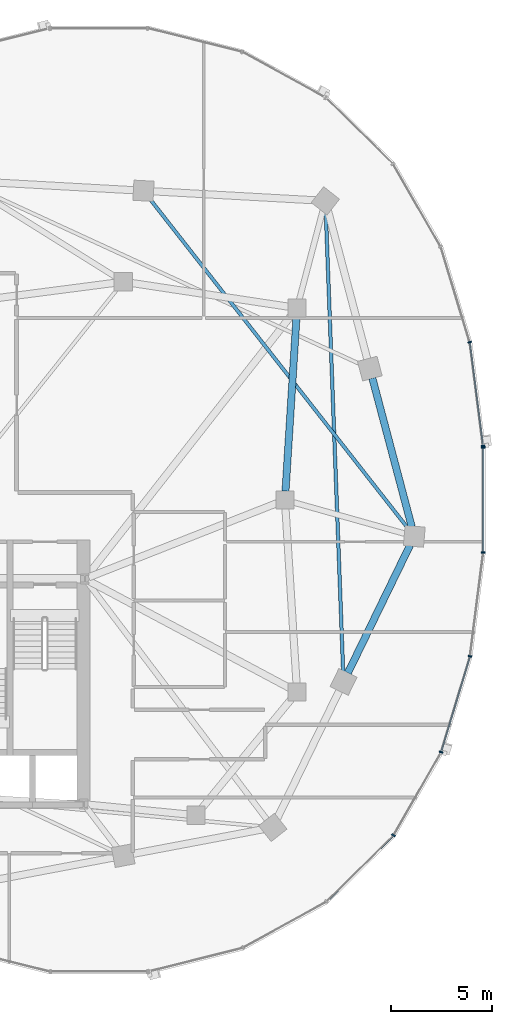
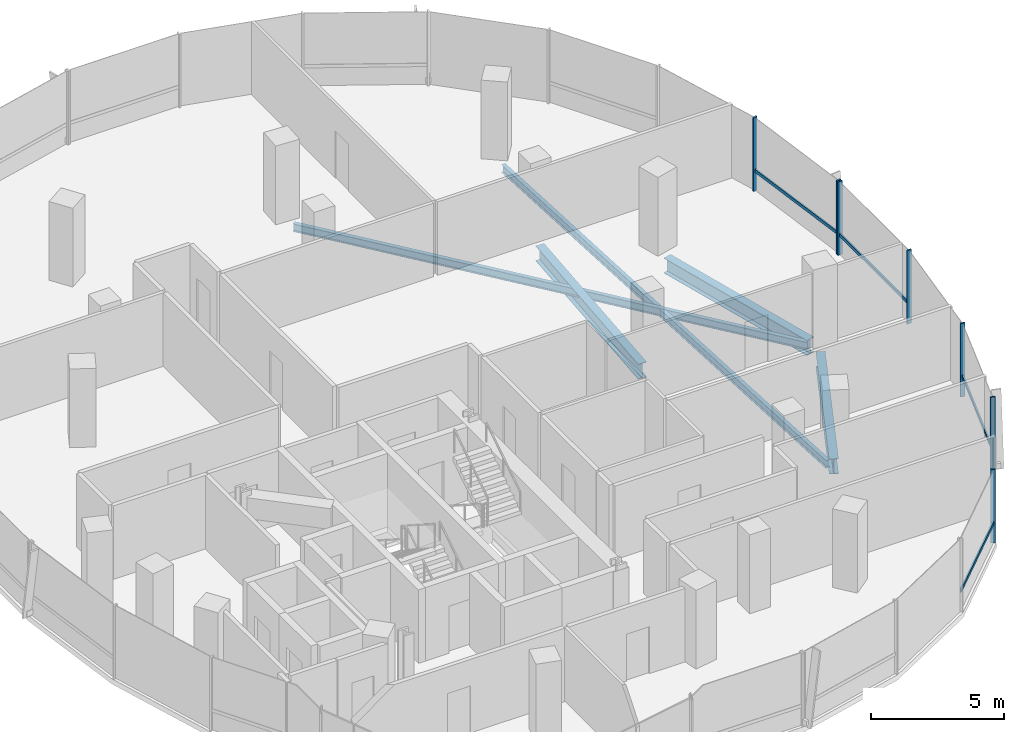
# One storey, part 8 of 22: 11 members, 5 beams, 2 elements without a shape of their own.
"""IFC4 building model written with IfcOpenShell, lengths in metres."""

import ifcopenshell
import ifcopenshell.guid

model = None  # the IFC model being written
_history = None  # IfcOwnerHistory: only IFC2X3 demands one
_inside = {}  # id of a spatial element -> (the spatial element, [elements in it])
_under = {}  # id of a project, library or spatial element -> (it, [spatial elements below it])
_declared = {}  # id of a project -> (the project, [libraries it declares])
_typed = {}  # id of a type object -> (the type object, [elements of that type])
_made_of = {}  # id of a material, layer set ... -> (it, [elements and type objects made of it])


def new_model(schema):
    """Start an empty IFC model of exactly this schema.

    Asked for "IFC4X3", IfcOpenShell would pick the latest addendum, in which some entities
    have other attributes; the version numbers below select the first issue.
    IFC2X3 requires an IfcOwnerHistory on every rooted entity: one is made here for all.
    """
    global model, _history
    if schema == "IFC4X3":
        model = ifcopenshell.file(schema_version=(4, 3, 0, 0))
    else:
        model = ifcopenshell.file(schema=schema)
    _inside.clear()
    _under.clear()
    _declared.clear()
    _typed.clear()
    _made_of.clear()
    _history = None
    if model.schema == "IFC2X3":
        org = make("IfcOrganization", Name="unknown")
        user = make(
            "IfcPersonAndOrganization",
            ThePerson=make("IfcPerson", FamilyName="unknown"),
            TheOrganization=org,
        )
        app = make(
            "IfcApplication",
            ApplicationDeveloper=org,
            Version="unknown",
            ApplicationFullName="unknown",
            ApplicationIdentifier="unknown",
        )
        _history = make(
            "IfcOwnerHistory",
            OwningUser=user,
            OwningApplication=app,
            ChangeAction="ADDED",
            CreationDate=0,
        )
    return model


def make(cls, **values):
    """One entity of the class cls with the attributes given. An attribute that is None is left unset."""
    return model.create_entity(
        cls, **{name: value for name, value in values.items() if value is not None}
    )


def rooted(cls, **values):
    """An entity with a GlobalId (a new one), such as an element, a storey or a relation."""
    return make(cls, GlobalId=ifcopenshell.guid.new(), OwnerHistory=_history, **values)


def si_unit(unit_type, name, prefix=None):
    """IfcSIUnit, for example si_unit("LENGTHUNIT", "METRE", prefix="MILLI")."""
    return make("IfcSIUnit", UnitType=unit_type, Prefix=prefix, Name=name)


def assignment(units):
    """IfcUnitAssignment: the units of a project."""
    return None if units is None else make("IfcUnitAssignment", Units=units)


def point(xyz):
    """IfcCartesianPoint."""
    return None if xyz is None else make("IfcCartesianPoint", Coordinates=xyz)


def direction(xyz):
    """IfcDirection."""
    return None if xyz is None else make("IfcDirection", DirectionRatios=xyz)


def frame(location, z_axis=None, x_axis=None):
    """IfcAxis2Placement3D, a coordinate frame: its origin and axes. An axis left out is left unset."""
    return make(
        "IfcAxis2Placement3D",
        Location=point(location),
        Axis=direction(z_axis),
        RefDirection=direction(x_axis),
    )


def frame_2d(location, x_axis=None):
    """IfcAxis2Placement2D, a coordinate frame in the plane: its origin and x axis."""
    return make(
        "IfcAxis2Placement2D", Location=point(location), RefDirection=direction(x_axis)
    )


def origin():
    """The frame at (0, 0, 0) with its axes left unset."""
    return frame((0.0, 0.0, 0.0))


def origin_2d():
    """The frame at (0, 0) in the plane with its x axis left unset."""
    return frame_2d((0.0, 0.0))


def place(relative_to, where):
    """IfcLocalPlacement: puts the frame where relative to a parent placement (None: the world)."""
    return make(
        "IfcLocalPlacement", PlacementRelTo=relative_to, RelativePlacement=where
    )


def context(
    kind, dimensions, precision=None, world=None, true_north=None, identifier=None
):
    """IfcGeometricRepresentationContext, for example the 3D "Model" context."""
    return make(
        "IfcGeometricRepresentationContext",
        ContextIdentifier=identifier,
        ContextType=kind,
        CoordinateSpaceDimension=dimensions,
        Precision=precision,
        WorldCoordinateSystem=world,
        TrueNorth=true_north,
    )


def subcontext(parent, identifier, kind, view, scale=None):
    """IfcGeometricRepresentationSubContext, for example "Body" below "Model"."""
    return make(
        "IfcGeometricRepresentationSubContext",
        ContextIdentifier=identifier,
        ContextType=kind,
        ParentContext=parent,
        TargetScale=scale,
        TargetView=view,
    )


def project(units=None, contexts=None):
    """IfcProject with its units and contexts."""
    return rooted(
        "IfcProject",
        Name="project",
        RepresentationContexts=contexts,
        UnitsInContext=assignment(units),
    )


def spatial(cls, under=None, at=None, **own):
    """A site, building, storey or space (cls), placed at a placement, below another one or the project."""
    s = rooted(cls, ObjectPlacement=at, **own)
    if under is not None:
        _under.setdefault(under.id(), (under, []))[1].append(s)
    return s


def profile(cls, at=None, kind="AREA", **sizes):
    """A parametric profile (cls). Its sizes go by their IFC names, for example OverallWidth=200.0."""
    return make(cls, ProfileType=kind, Position=at, **sizes)


def rectangle(**sizes):
    """IfcRectangleProfileDef."""
    return profile("IfcRectangleProfileDef", **sizes)


def i_section(**sizes):
    """IfcIShapeProfileDef."""
    return profile("IfcIShapeProfileDef", **sizes)


def extrude(swept, where, along, depth):
    """IfcExtrudedAreaSolid: the profile swept, set in the frame where, extruded along a direction by depth."""
    return make(
        "IfcExtrudedAreaSolid",
        SweptArea=swept,
        Position=where,
        ExtrudedDirection=direction(along),
        Depth=depth,
    )


def shape(context_of_items, identifier, shape_type, items):
    """IfcShapeRepresentation: the items that make up one representation, for example the "Body"."""
    return make(
        "IfcShapeRepresentation",
        ContextOfItems=context_of_items,
        RepresentationIdentifier=identifier,
        RepresentationType=shape_type,
        Items=items,
    )


def material(Name=None, Category=None):
    """IfcMaterial."""
    return make("IfcMaterial", Name=Name, Category=Category)


def material_profile(
    of_material, cross_section, Name=None, Category=None, Priority=None
):
    """IfcMaterialProfile: a cross section and its material."""
    return make(
        "IfcMaterialProfile",
        Name=Name,
        Material=of_material,
        Profile=cross_section,
        Priority=Priority,
        Category=Category,
    )


def profile_set(profiles, Name=None, composite=None):
    """IfcMaterialProfileSet."""
    return make(
        "IfcMaterialProfileSet",
        Name=Name,
        MaterialProfiles=profiles,
        CompositeProfile=composite,
    )


def made_of(thing, what):
    """Note that an element or type object is made of a material, layer set ...; save() writes the relation."""
    if what is not None:
        _made_of.setdefault(what.id(), (what, []))[1].append(thing)
    return thing


def type_object(cls, material=None, **own):
    """A type object (cls), such as IfcWallType, which elements share."""
    return made_of(rooted(cls, **own), material)


def element(
    cls,
    number,
    at=None,
    inside=None,
    cuts=None,
    type_object=None,
    material=None,
    context=None,
    identifier="Body",
    shape_type=None,
    held_by="IfcProductDefinitionShape",
    body=None,
    shapes=None,
    **own,
):
    """One element of the class cls, such as IfcWall. Its Tag is "e" and its number.

    at: its placement. inside: the storey or other place that contains it. cuts: it is an
    opening in that element (IfcRelVoidsElement). A single representation is given by context,
    identifier, shape_type and body (its items); several are given by shapes. held_by: the class
    of the entity that holds the representations. save() writes the other relations.
    """
    e = rooted(cls, Tag="e%d" % number, ObjectPlacement=at, **own)
    if body is not None:
        shapes = [shape(context, identifier, shape_type, body)]
    if shapes is not None:
        e.Representation = make(held_by, Representations=shapes)
    if inside is not None:
        _inside.setdefault(inside.id(), (inside, []))[1].append(e)
    if cuts is not None:
        rooted(
            "IfcRelVoidsElement", RelatingBuildingElement=cuts, RelatedOpeningElement=e
        )
    if type_object is not None:
        _typed.setdefault(type_object.id(), (type_object, []))[1].append(e)
    return made_of(e, material)


def aggregate(whole, parts):
    """IfcRelAggregates: a whole, such as a stair, and the parts it consists of."""
    return rooted("IfcRelAggregates", RelatingObject=whole, RelatedObjects=parts)


def save(model, path):
    """Write the relations noted so far, then the file.

    IfcRelAggregates (storeys below a building ...), IfcRelContainedInSpatialStructure (elements
    in a storey), IfcRelDefinesByType, IfcRelAssociatesMaterial and IfcRelDeclares: one each for
    every whole, place, type object, material and project.
    """
    for whole, parts in _under.values():
        aggregate(whole, parts)
    for where, things in _inside.values():
        rooted(
            "IfcRelContainedInSpatialStructure",
            RelatedElements=things,
            RelatingStructure=where,
        )
    for kind, things in _typed.values():
        rooted("IfcRelDefinesByType", RelatedObjects=things, RelatingType=kind)
    for what, things in _made_of.values():
        rooted("IfcRelAssociatesMaterial", RelatedObjects=things, RelatingMaterial=what)
    for by, libraries in _declared.values():
        rooted("IfcRelDeclares", RelatingContext=by, RelatedDefinitions=libraries)
    model.write(path)


model = new_model("IFC4")

# Units and contexts
model_context = context("Model", 3, precision=1e-05, world=origin(), true_north=direction((0.0, 1.0)))
body_context = subcontext(model_context, "Body", "Model", "MODEL_VIEW")
ifc_project = project(units=[si_unit("LENGTHUNIT", "METRE"), si_unit("AREAUNIT", "SQUARE_METRE"), si_unit("VOLUMEUNIT", "CUBIC_METRE"), si_unit("PLANEANGLEUNIT", "RADIAN"), si_unit("MASSUNIT", "GRAM", prefix="KILO"), si_unit("THERMODYNAMICTEMPERATUREUNIT", "KELVIN"), si_unit("POWERUNIT", "WATT")], contexts=[model_context])

# Site, building, storey
site_placement = place(None, origin())
site = spatial("IfcSite", under=ifc_project, at=site_placement, CompositionType="ELEMENT")
building_placement = place(site_placement, origin())
building = spatial("IfcBuilding", under=site, at=building_placement, Name="Cundina Bronze Exchange", CompositionType="ELEMENT")
storey_placement = place(building_placement, frame((0.0, 0.0, 147.60009765625)))
storey = spatial("IfcBuildingStorey", under=building, at=storey_placement, Name="L38", CompositionType="ELEMENT", Elevation=147.60009765625)

# Beams
ifc_material_1 = material(Name="Steel ASTM A992 Grade 50", Category="steel")
ifc_material_profile_1 = material_profile(ifc_material_1, i_section(OverallWidth=0.172119140625, OverallDepth=0.35791015625, WebThickness=0.0078125, FlangeThickness=0.01318359375, FilletRadius=0.010009765625, at=origin_2d()), Name="W14X38", Category="steel")
ifc_profile_set_1 = profile_set([ifc_material_profile_1], Name="Steel ASTM A992 Grade 50")
beam_type_1 = type_object("IfcBeamType", Name="BM-JST-W14", PredefinedType="JOIST", material=ifc_profile_set_1)
beam_1_placement = place(storey_placement, frame((44.08154296875, -8.51220703125, -0.419189453125), z_axis=(-0.037784933381, 0.999285894431, 0.0), x_axis=(-0.999285894431, -0.037784933381, 0.0)))
element("IfcBeam", 1, at=beam_1_placement, inside=storey, type_object=beam_type_1, Name="L38 Leg E Lobe Floor Joist 07-10", PredefinedType="JOIST", context=body_context, shape_type="SweptSolid", body=[
    extrude(i_section(OverallWidth=0.172119140625, OverallDepth=0.35791015625, WebThickness=0.0078125, FlangeThickness=0.01318359375, FilletRadius=0.010009765625, at=origin_2d()), origin(), (0.0, 0.0, 1.0), 22.8408203125),
])
beam_2_placement = place(storey_placement, frame((47.299072265625, -1.416015625, -0.419189453125), z_axis=(-0.616801484103, 0.787118751656, 0.0), x_axis=(-0.787118751656, -0.616801484103, 0.0)))
element("IfcBeam", 2, at=beam_2_placement, inside=storey, type_object=beam_type_1, Name="L38 Leg E Lobe Floor Joist 08-11", PredefinedType="JOIST", context=body_context, shape_type="SweptSolid", body=[
    extrude(i_section(OverallWidth=0.172119140625, OverallDepth=0.35791015625, WebThickness=0.0078125, FlangeThickness=0.01318359375, FilletRadius=0.010009765625, at=origin_2d()), origin(), (0.0, 0.0, 1.0), 20.7490234375),
])
ifc_material_profile_2 = material_profile(ifc_material_1, i_section(OverallWidth=0.35498046875, OverallDepth=0.695068359375, WebThickness=0.015380859375, FlangeThickness=0.02490234375, FilletRadius=0.01806640625, at=origin_2d()), Name="W27X146", Category="steel")
ifc_profile_set_2 = profile_set([ifc_material_profile_2], Name="Steel ASTM A992 Grade 50")
beam_type_2 = type_object("IfcBeamType", Name="BM-RING-W27", PredefinedType="USERDEFINED", material=ifc_profile_set_2)
beam_3_placement = place(storey_placement, frame((41.2275390625, 0.43701171875, -0.587646484375), z_axis=(0.063046519736, 0.998010589297, 0.0), x_axis=(-0.998010589297, 0.063046519736, 0.0)))
element("IfcBeam", 3, at=beam_3_placement, inside=storey, type_object=beam_type_2, Name="L38 E Inner Structural Ring Girder 04", ObjectType="GIRDER", PredefinedType="USERDEFINED", context=body_context, shape_type="SweptSolid", body=[
    extrude(i_section(OverallWidth=0.35498046875, OverallDepth=0.695068359375, WebThickness=0.015380859375, FlangeThickness=0.02490234375, FilletRadius=0.01806640625, at=origin_2d()), origin(), (0.0, 0.0, 1.0), 8.64306640625),
])
beam_4_placement = place(storey_placement, frame((44.3134765625, -8.56103515625, -0.587646484375), z_axis=(0.437196998825, 0.89936576776, 0.0), x_axis=(-0.89936576776, 0.437196998825, 0.0)))
element("IfcBeam", 4, at=beam_4_placement, inside=storey, type_object=beam_type_2, Name="L38 E Perimeter Ring Girder 07", ObjectType="GIRDER", PredefinedType="USERDEFINED", context=body_context, shape_type="SweptSolid", body=[
    extrude(i_section(OverallWidth=0.35498046875, OverallDepth=0.695068359375, WebThickness=0.015380859375, FlangeThickness=0.02490234375, FilletRadius=0.01806640625, at=origin_2d()), origin(), (0.0, 0.0, 1.0), 7.029541015625),
])
beam_5_placement = place(storey_placement, frame((47.47509765625, -1.328369140625, -0.587646484375), z_axis=(-0.256240814108, 0.966612975904, 0.0), x_axis=(-0.966612975904, -0.256240814108, 0.0)))
element("IfcBeam", 5, at=beam_5_placement, inside=storey, type_object=beam_type_2, Name="L38 E Perimeter Ring Girder 08", ObjectType="GIRDER", PredefinedType="USERDEFINED", context=body_context, shape_type="SweptSolid", body=[
    extrude(i_section(OverallWidth=0.35498046875, OverallDepth=0.695068359375, WebThickness=0.015380859375, FlangeThickness=0.02490234375, FilletRadius=0.01806640625, at=origin_2d()), origin(), (0.0, 0.0, 1.0), 7.61083984375),
])

# Curtain wall, members
ifc_material_2 = material(Name="Anodised Bronze Aluminium 6063-T6", Category="aluminium")
curtain_wall_type = type_object("IfcCurtainWallType", Name="CWS-WST-PIN", PredefinedType="NOTDEFINED", material=ifc_material_2)
curtain_wall_1_placement = place(storey_placement, origin())
curtain_wall_1 = element("IfcCurtainWall", 6, at=curtain_wall_1_placement, inside=storey, type_object=curtain_wall_type, Name="L38 CW-04 Curtain Wall Run CWR-L38-E1", PredefinedType="NOTDEFINED")
ifc_material_profile_3 = material_profile(ifc_material_2, rectangle(XDim=0.070068359375, YDim=0.18994140625, at=origin_2d()), Name="AL70X190", Category="aluminium")
ifc_profile_set_3 = profile_set([ifc_material_profile_3], Name="Anodised Bronze Aluminium 6063-T6")
member_type_1 = type_object("IfcMemberType", Name="CWM-MUL-190", PredefinedType="MULLION", material=ifc_profile_set_3)
member_1_placement = place(storey_placement, frame((51.001708984375, 2.676025390625, 0.0), z_axis=(0.0, 0.0, 1.0), x_axis=(-0.126545236492, 0.991960837494, 0.0)))
member_1 = element("IfcMember", 7, at=member_1_placement, type_object=member_type_1, Name="CW-04 Mullion 1", PredefinedType="MULLION", context=body_context, shape_type="SweptSolid", body=[
    extrude(rectangle(XDim=0.070068359375, YDim=0.18994140625, at=origin_2d()), origin(), (0.0, 0.0, 1.0), 3.35986328125),
])
member_2_placement = place(storey_placement, frame((50.3408203125, 7.80859375, 0.0), z_axis=(0.0, 0.0, 1.0), x_axis=(-0.290034140915, 0.957016299288, 0.0)))
member_2 = element("IfcMember", 8, at=member_2_placement, type_object=member_type_1, Name="CW-04 Mullion 2", PredefinedType="MULLION", context=body_context, shape_type="SweptSolid", body=[
    extrude(rectangle(XDim=0.070068359375, YDim=0.18994140625, at=origin_2d()), origin(), (0.0, 0.0, 1.0), 3.35986328125),
])

curtain_wall_2_placement = place(storey_placement, origin())
curtain_wall_2 = element("IfcCurtainWall", 9, at=curtain_wall_2_placement, inside=storey, type_object=curtain_wall_type, Name="L38 CW-04 Curtain Wall Run CWR-L38-E4", PredefinedType="NOTDEFINED")
member_3_placement = place(storey_placement, frame((46.57080078125, -16.588134765625, 0.0), z_axis=(0.0, 0.0, 1.0), x_axis=(0.498487739754, 0.866896748936, 0.0)))
member_3 = element("IfcMember", 10, at=member_3_placement, type_object=member_type_1, Name="CW-04 Mullion 4", PredefinedType="MULLION", context=body_context, shape_type="SweptSolid", body=[
    extrude(rectangle(XDim=0.070068359375, YDim=0.18994140625, at=origin_2d()), origin(), (0.0, 0.0, 1.0), 3.35986328125),
])
member_4_placement = place(storey_placement, frame((48.92626953125, -12.4755859375, 0.0), z_axis=(0.0, 0.0, 1.0), x_axis=(0.290034140915, 0.957016299288, 0.0)))
member_4 = element("IfcMember", 11, at=member_4_placement, type_object=member_type_1, Name="CW-04 Mullion 5", PredefinedType="MULLION", context=body_context, shape_type="SweptSolid", body=[
    extrude(rectangle(XDim=0.070068359375, YDim=0.18994140625, at=origin_2d()), origin(), (0.0, 0.0, 1.0), 3.35986328125),
])
member_5_placement = place(storey_placement, frame((50.357177734375, -7.731689453125, 0.0), z_axis=(0.0, 0.0, 1.0), x_axis=(0.126545236492, 0.991960837494, 0.0)))
member_5 = element("IfcMember", 12, at=member_5_placement, type_object=member_type_1, Name="CW-04 Mullion 6", PredefinedType="MULLION", context=body_context, shape_type="SweptSolid", body=[
    extrude(rectangle(XDim=0.070068359375, YDim=0.18994140625, at=origin_2d()), origin(), (0.0, 0.0, 1.0), 3.35986328125),
])
member_6_placement = place(storey_placement, frame((51.007080078125, -2.593017578125, 0.0), z_axis=(0.0, 0.0, 1.0), x_axis=(0.0, 1.0, 0.0)))
member_6 = element("IfcMember", 13, at=member_6_placement, type_object=member_type_1, Name="CW-04 Mullion 7", PredefinedType="MULLION", context=body_context, shape_type="SweptSolid", body=[
    extrude(rectangle(XDim=0.070068359375, YDim=0.18994140625, at=origin_2d()), origin(), (0.0, 0.0, 1.0), 3.35986328125),
])
member_7_placement = place(storey_placement, frame((51.007080078125, 2.593017578125, 0.0), z_axis=(0.0, 0.0, 1.0), x_axis=(0.0, 1.0, 0.0)))
member_7 = element("IfcMember", 14, at=member_7_placement, type_object=member_type_1, Name="CW-04 End Mullion", PredefinedType="MULLION", context=body_context, shape_type="SweptSolid", body=[
    extrude(rectangle(XDim=0.070068359375, YDim=0.18994140625, at=origin_2d()), origin(), (0.0, 0.0, 1.0), 3.35986328125),
])

# Member
ifc_material_profile_4 = material_profile(ifc_material_2, rectangle(XDim=0.06494140625, YDim=0.14990234375, at=origin_2d()), Name="AL65X150", Category="aluminium")
ifc_profile_set_4 = profile_set([ifc_material_profile_4], Name="Anodised Bronze Aluminium 6063-T6")
member_type_2 = type_object("IfcMemberType", Name="CWM-TRN-150", PredefinedType="USERDEFINED", material=ifc_profile_set_4)
member_8_placement = place(storey_placement, frame((50.996826171875, 2.71435546875, 0.919921875), z_axis=(-0.12646340362, 0.991971273548, 0.0), x_axis=(-0.991971273548, -0.12646340362, 0.0)))
member_8 = element("IfcMember", 15, at=member_8_placement, type_object=member_type_2, Name="CW-04 Spandrel Transom 1", ObjectType="TRANSOM", PredefinedType="USERDEFINED", context=body_context, shape_type="SweptSolid", body=[
    extrude(rectangle(XDim=0.06494140625, YDim=0.14990234375, at=origin_2d()), origin(), (0.0, 0.0, 1.0), 5.0966796875),
])

aggregate(curtain_wall_1, [member_1, member_8, member_2])

member_9_placement = place(storey_placement, frame((43.28662109375, -19.839599609375, 0.919921875), z_axis=(0.712005023839, 0.702174370102, 0.0), x_axis=(-0.702174370102, 0.712005023839, 0.0)))
member_9 = element("IfcMember", 16, at=member_9_placement, type_object=member_type_2, Name="CW-04 Spandrel Transom 3", ObjectType="TRANSOM", PredefinedType="USERDEFINED", context=body_context, shape_type="SweptSolid", body=[
    extrude(rectangle(XDim=0.06494140625, YDim=0.14990234375, at=origin_2d()), origin(), (0.0, 0.0, 1.0), 4.594482421875),
])

member_10_placement = place(storey_placement, frame((48.937255859375, -12.43896484375, 0.919921875), z_axis=(0.290051855969, 0.957010930371, 0.0), x_axis=(-0.957010930371, 0.290051855969, 0.0)))
member_10 = element("IfcMember", 17, at=member_10_placement, type_object=member_type_2, Name="CW-04 Spandrel Transom 5", ObjectType="TRANSOM", PredefinedType="USERDEFINED", context=body_context, shape_type="SweptSolid", body=[
    extrude(rectangle(XDim=0.06494140625, YDim=0.14990234375, at=origin_2d()), origin(), (0.0, 0.0, 1.0), 4.876953125),
])

member_11_placement = place(storey_placement, frame((51.007080078125, -2.554443359375, 0.919921875), z_axis=(0.0, 1.0, 0.0), x_axis=(-1.0, 0.0, 0.0)))
member_11 = element("IfcMember", 18, at=member_11_placement, type_object=member_type_2, Name="CW-04 Spandrel Transom 7", ObjectType="TRANSOM", PredefinedType="USERDEFINED", context=body_context, shape_type="SweptSolid", body=[
    extrude(rectangle(XDim=0.06494140625, YDim=0.14990234375, at=origin_2d()), origin(), (0.0, 0.0, 1.0), 5.10888671875),
])

aggregate(curtain_wall_2, [member_9, member_3, member_4, member_10, member_5, member_6, member_7, member_11])

save(model, "model.ifc")
